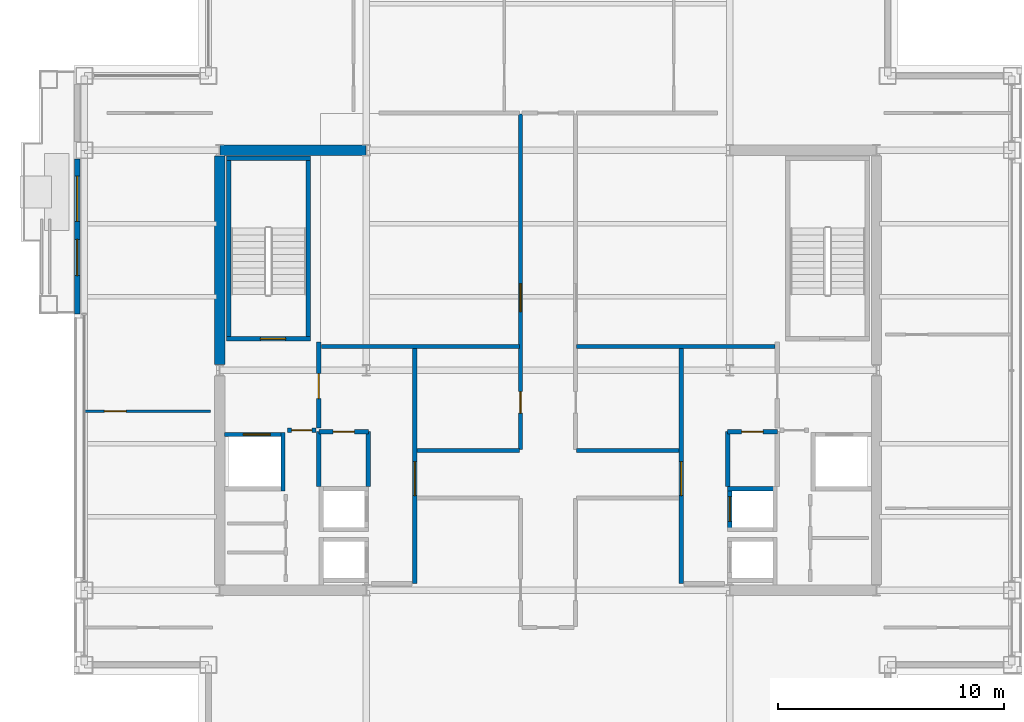
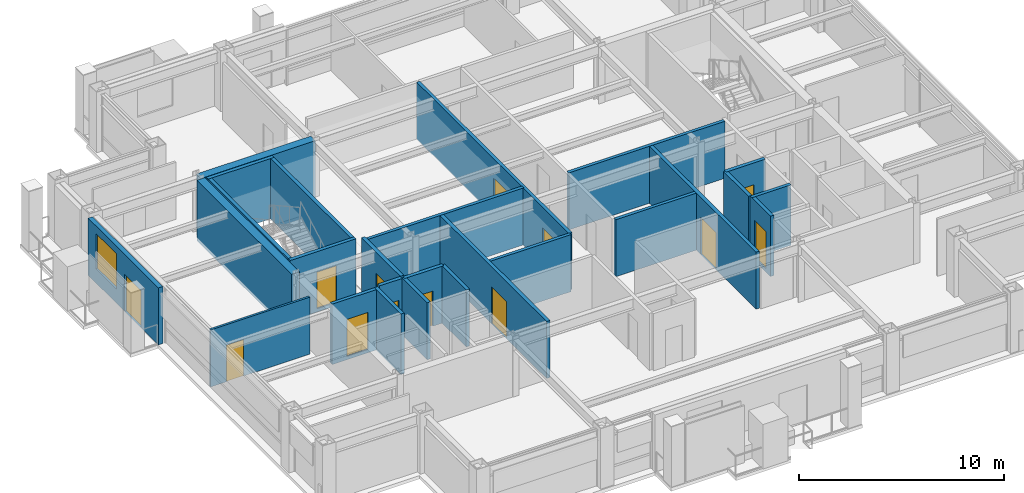
# One storey, part 25 of 30: 26 walls, 13 doors, 1 window, 14 openings.
"""IFC4 building model written with IfcOpenShell, lengths in metres."""

from ifc_helpers import new_model, si_unit, direction, frame, frame_2d, origin, place, context, subcontext, project, spatial, rectangle, extrude, material, layer, layer_set, type_object, element, fill, save


model = new_model("IFC4")

# Units and contexts
model_context = context("Model", 3, precision=1e-05, world=origin(), true_north=direction((0.0, 1.0)))
body_context = subcontext(model_context, "Body", "Model", "MODEL_VIEW")
ifc_project = project(units=[si_unit("LENGTHUNIT", "METRE"), si_unit("AREAUNIT", "SQUARE_METRE"), si_unit("VOLUMEUNIT", "CUBIC_METRE"), si_unit("PLANEANGLEUNIT", "RADIAN"), si_unit("MASSUNIT", "GRAM", prefix="KILO")], contexts=[model_context])

# Site, building, storey
site_placement = place(None, origin())
site = spatial("IfcSite", under=ifc_project, at=site_placement, CompositionType="ELEMENT")
building_placement = place(site_placement, origin())
building = spatial("IfcBuilding", under=site, at=building_placement, Name="Brelmoor Portico Tower", CompositionType="ELEMENT")
storey_placement = place(building_placement, frame((0.0, 0.0, 169.5)))
storey = spatial("IfcBuildingStorey", under=building, at=storey_placement, Name="L44", CompositionType="ELEMENT", Elevation=169.5)

# Walls
ifc_material_1 = material(Name="Concrete C50", Category="concrete")
ifc_layer_1 = layer(ifc_material_1, 0.449951171875)
ifc_layer_set_1 = layer_set([ifc_layer_1], Name="Concrete C50")
wall_type_1 = type_object("IfcWallType", Name="WL-CORE-450", PredefinedType="SHEAR", material=ifc_layer_set_1)
wall_1_placement = place(storey_placement, frame((-14.530029296875, 9.75, -0.199951171875), z_axis=(0.0, 0.0, 1.0), x_axis=(1.0, 0.0, 0.0)))
element("IfcWall", 1, at=wall_1_placement, inside=storey, type_object=wall_type_1, Name="L44 WC North Shear Wall", PredefinedType="SHEAR", context=body_context, shape_type="SweptSolid", body=[
    extrude(rectangle(XDim=6.4599609375, YDim=0.449951171875, at=frame_2d((3.22998046875, 0.0))), origin(), (0.0, 0.0, 1.0), 3.599853515625),
])
wall_2_placement = place(storey_placement, frame((-14.550048828125, 0.25, -0.199951171875), z_axis=(0.0, 0.0, 1.0), x_axis=(0.0, 1.0, 0.0)))
element("IfcWall", 2, at=wall_2_placement, inside=storey, type_object=wall_type_1, Name="L44 WC Outer North Shear Wall", PredefinedType="SHEAR", context=body_context, shape_type="SweptSolid", body=[
    extrude(rectangle(XDim=9.25, YDim=0.449951171875, at=frame_2d((4.625, 0.0))), origin(), (0.0, 0.0, 1.0), 3.599853515625),
])

# Wall, openings, door, window
ifc_material_2 = material(Name="Precast Concrete C40 Insulated Facade Wall", Category="concrete")
ifc_layer_2 = layer(ifc_material_2, 0.25)
ifc_layer_set_2 = layer_set([ifc_layer_2], Name="Precast Concrete C40 Insulated Facade Wall")
wall_type_2 = type_object("IfcWallType", Name="WL-EXT-250", PredefinedType="STANDARD", material=ifc_layer_set_2)
wall_3_placement = place(storey_placement, frame((-20.860107421875, 2.5, 0.0), z_axis=(0.0, 0.0, 1.0), x_axis=(0.0, 1.0, 0.0)))
wall_3 = element("IfcWall", 3, at=wall_3_placement, inside=storey, type_object=wall_type_2, Name="L44 Loggia Threshold Wall W-1", PredefinedType="STANDARD", context=body_context, shape_type="SweptSolid", body=[
    extrude(rectangle(XDim=6.85498046875, YDim=0.25, at=frame_2d((3.427490234375, 0.0))), origin(), (0.0, 0.0, 1.0), 3.39990234375),
])
opening_1_placement = place(wall_3_placement, frame((1.699951171875, 0.0, 0.0)))
opening_1 = element("IfcOpeningElement", 4, at=opening_1_placement, cuts=wall_3, Name="Opening D-TB1", PredefinedType="OPENING", context=body_context, shape_type="SweptSolid", body=[
    extrude(rectangle(XDim=1.60009765625, YDim=2.199951171875, at=frame_2d((0.800048828125, 1.10009765625))), frame((0.0, 0.135009765625, 0.0), z_axis=(0.0, -1.0, 0.0), x_axis=(1.0, 0.0, 0.0)), (0.0, 0.0, 1.0), 0.27001953125),
])
opening_2_placement = place(wall_3_placement, frame((4.10009765625, 0.0, 0.85009765625)))
opening_2 = element("IfcOpeningElement", 5, at=opening_2_placement, cuts=wall_3, Name="Opening W-03", PredefinedType="OPENING", context=body_context, shape_type="SweptSolid", body=[
    extrude(rectangle(XDim=2.0, YDim=2.10009765625, at=frame_2d((1.0, 1.050048828125))), frame((0.0, 0.135009765625, 0.0), z_axis=(0.0, -1.0, 0.0), x_axis=(1.0, 0.0, 0.0)), (0.0, 0.0, 1.0), 0.27001953125),
])
ifc_material_3 = material(Name="Double-Leaf Thermally Broken Terrace Door", Category="aluminium")
door_type_1 = type_object("IfcDoorType", Name="DR-BALCONY-1600", OperationType="NOTDEFINED", PredefinedType="DOOR", material=ifc_material_3)
door_1_placement = place(opening_1_placement, origin())
door_1 = element("IfcDoor", 6, at=door_1_placement, inside=storey, type_object=door_type_1, Name="D-1894 L44 Tree Balcony Double Door W", OperationType="DOUBLE_DOOR_SINGLE_SWING", OverallHeight=2.199951171875, OverallWidth=1.60009765625, PredefinedType="DOOR", context=body_context, shape_type="SweptSolid", body=[
    extrude(rectangle(XDim=1.60009765625, YDim=2.199951171875, at=frame_2d((0.800048828125, 1.10009765625))), frame((0.0, 0.02490234375, 0.0), z_axis=(0.0, -1.0, 0.0), x_axis=(1.0, 0.0, 0.0)), (0.0, 0.0, 1.0), 0.050048828125),
])
fill(opening_1, door_1)
ifc_material_4 = material(Name="Thermally Broken Aluminium Low-E Window", Category="aluminium")
window_type = type_object("IfcWindowType", Name="WN-LOGGIA-2000x2100", PartitioningType="SINGLE_PANEL", PredefinedType="WINDOW", material=ifc_material_4)
window_placement = place(opening_2_placement, origin())
window = element("IfcWindow", 7, at=window_placement, inside=storey, type_object=window_type, Name="L44 Loggia Window W", OverallHeight=2.10009765625, OverallWidth=2.0, PartitioningType="SINGLE_PANEL", PredefinedType="WINDOW", context=body_context, shape_type="SweptSolid", body=[
    extrude(rectangle(XDim=2.0, YDim=2.10009765625, at=frame_2d((1.0, 1.050048828125))), frame((0.0, 0.030029296875, 0.0), z_axis=(0.0, -1.0, 0.0), x_axis=(1.0, 0.0, 0.0)), (0.0, 0.0, 1.0), 0.06005859375),
])
fill(opening_2, window)

# Wall, opening, door
ifc_material_5 = material(Name="Lightweight Gypsum Office Partition", Category="gypsum")
ifc_layer_3 = layer(ifc_material_5, 0.1201171875)
ifc_layer_set_3 = layer_set([ifc_layer_3], Name="Lightweight Gypsum Office Partition")
wall_type_3 = type_object("IfcWallType", Name="WL-PART-120", PredefinedType="PARTITIONING", material=ifc_layer_set_3)
wall_4_placement = place(storey_placement, frame((-20.56005859375, -1.811279296875, 0.0), z_axis=(0.0, 0.0, 1.0), x_axis=(1.0, 0.0, 0.0)))
wall_4 = element("IfcWall", 8, at=wall_4_placement, inside=storey, type_object=wall_type_3, Name="L44 W Wing Partition 1", PredefinedType="PARTITIONING", context=body_context, shape_type="SweptSolid", body=[
    extrude(rectangle(XDim=5.60009765625, YDim=0.1201171875, at=frame_2d((2.800048828125, 0.0))), origin(), (0.0, 0.0, 1.0), 3.39990234375),
])
opening_3_placement = place(wall_4_placement, frame((0.89990234375, 0.0, 0.0)))
opening_3 = element("IfcOpeningElement", 9, at=opening_3_placement, cuts=wall_4, Name="Opening D-IN2", PredefinedType="OPENING", context=body_context, shape_type="SweptSolid", body=[
    extrude(rectangle(XDim=0.9599609375, YDim=2.179931640625, at=frame_2d((0.47998046875, 1.08984375))), frame((0.0, 0.070068359375, 0.0), z_axis=(0.0, -1.0, 0.0), x_axis=(1.0, 0.0, 0.0)), (0.0, 0.0, 1.0), 0.14013671875),
])
ifc_material_6 = material(Name="Lacquered Timber Suite Door", Category="wood")
door_type_2 = type_object("IfcDoorType", Name="DR-INT-950", OperationType="NOTDEFINED", PredefinedType="DOOR", material=ifc_material_6)
door_2_placement = place(opening_3_placement, origin())
door_2 = element("IfcDoor", 10, at=door_2_placement, inside=storey, type_object=door_type_2, Name="D-1897 L44 W Wing Suite Connecting Door 1", OperationType="SINGLE_SWING_RIGHT", OverallHeight=2.179931640625, OverallWidth=0.9599609375, PredefinedType="DOOR", context=body_context, shape_type="SweptSolid", body=[
    extrude(rectangle(XDim=0.9599609375, YDim=2.179931640625, at=frame_2d((0.47998046875, 1.08984375))), frame((0.0, 0.02490234375, 0.0), z_axis=(0.0, -1.0, 0.0), x_axis=(1.0, 0.0, 0.0)), (0.0, 0.0, 1.0), 0.050048828125),
])
fill(opening_3, door_2)

# Wall
ifc_material_7 = material(Name="Acoustic Corridor Fire Partition", Category="gypsum")
ifc_layer_4 = layer(ifc_material_7, 0.179931640625)
ifc_layer_set_4 = layer_set([ifc_layer_4], Name="Acoustic Corridor Fire Partition")
wall_type_4 = type_object("IfcWallType", Name="WL-PART-180", PredefinedType="PARTITIONING", material=ifc_layer_set_4)
wall_5_placement = place(storey_placement, frame((-10.050048828125, 1.050048828125, 0.0), z_axis=(0.0, 0.0, 1.0), x_axis=(1.0, 0.0, 0.0)))
element("IfcWall", 11, at=wall_5_placement, inside=storey, type_object=wall_type_4, Name="L44 West Reclaimed Suite South Wall", PredefinedType="PARTITIONING", context=body_context, shape_type="SweptSolid", body=[
    extrude(rectangle(XDim=8.7900390625, YDim=0.179931640625, at=frame_2d((4.39501953125, 0.0))), origin(), (0.0, 0.0, 1.0), 3.39990234375),
])

# Wall, openings, doors
wall_6_placement = place(storey_placement, frame((-1.219970703125, -3.5, 0.0), z_axis=(0.0, 0.0, 1.0), x_axis=(0.0, 1.0, 0.0)))
wall_6 = element("IfcWall", 12, at=wall_6_placement, inside=storey, type_object=wall_type_4, Name="L44 Central Cross West Wall", PredefinedType="PARTITIONING", context=body_context, shape_type="SweptSolid", body=[
    extrude(rectangle(XDim=14.860107421875, YDim=0.179931640625, at=frame_2d((7.43017578125, 0.0))), origin(), (0.0, 0.0, 1.0), 3.39990234375),
])
opening_4_placement = place(wall_6_placement, frame((6.10009765625, 0.0, 0.0)))
opening_4 = element("IfcOpeningElement", 13, at=opening_4_placement, cuts=wall_6, Name="Opening D-SU1", PredefinedType="OPENING", context=body_context, shape_type="SweptSolid", body=[
    extrude(rectangle(XDim=1.239990234375, YDim=2.239990234375, at=frame_2d((0.6201171875, 1.1201171875))), frame((0.0, 0.099853515625, 0.0), z_axis=(0.0, -1.0, 0.0), x_axis=(1.0, 0.0, 0.0)), (0.0, 0.0, 1.0), 0.199951171875),
])
opening_5_placement = place(wall_6_placement, frame((1.60009765625, 0.0, 0.0)))
opening_5 = element("IfcOpeningElement", 14, at=opening_5_placement, cuts=wall_6, Name="Opening D-IN2", PredefinedType="OPENING", context=body_context, shape_type="SweptSolid", body=[
    extrude(rectangle(XDim=0.9599609375, YDim=2.179931640625, at=frame_2d((0.47998046875, 1.08984375))), frame((0.0, 0.099853515625, 0.0), z_axis=(0.0, -1.0, 0.0), x_axis=(1.0, 0.0, 0.0)), (0.0, 0.0, 1.0), 0.199951171875),
])
door_3_placement = place(opening_5_placement, origin())
door_3 = element("IfcDoor", 15, at=door_3_placement, inside=storey, type_object=door_type_2, Name="D-1866 L44 Staff Pantry Door", OperationType="SINGLE_SWING_RIGHT", OverallHeight=2.179931640625, OverallWidth=0.9599609375, PredefinedType="DOOR", context=body_context, shape_type="SweptSolid", body=[
    extrude(rectangle(XDim=0.9599609375, YDim=2.179931640625, at=frame_2d((0.47998046875, 1.08984375))), frame((0.0, 0.02490234375, 0.0), z_axis=(0.0, -1.0, 0.0), x_axis=(1.0, 0.0, 0.0)), (0.0, 0.0, 1.0), 0.050048828125),
])
fill(opening_5, door_3)
ifc_material_8 = material(Name="Glazed Timber Executive Suite Door", Category="wood")
door_type_3 = type_object("IfcDoorType", Name="DR-SUITE-1200", OperationType="NOTDEFINED", PredefinedType="DOOR", material=ifc_material_8)
door_4_placement = place(opening_4_placement, origin())
door_4 = element("IfcDoor", 16, at=door_4_placement, inside=storey, type_object=door_type_3, Name="D-1867 L44 West Reclaimed Studio Door", OperationType="SINGLE_SWING_LEFT", OverallHeight=2.239990234375, OverallWidth=1.239990234375, PredefinedType="DOOR", context=body_context, shape_type="SweptSolid", body=[
    extrude(rectangle(XDim=1.239990234375, YDim=2.239990234375, at=frame_2d((0.6201171875, 1.1201171875))), frame((0.0, 0.02490234375, 0.0), z_axis=(0.0, -1.0, 0.0), x_axis=(1.0, 0.0, 0.0)), (0.0, 0.0, 1.0), 0.050048828125),
])
fill(opening_4, door_4)

# Walls
wall_7_placement = place(storey_placement, frame((-5.800048828125, -3.550048828125, 0.0), z_axis=(0.0, 0.0, 1.0), x_axis=(1.0, 0.0, 0.0)))
element("IfcWall", 17, at=wall_7_placement, inside=storey, type_object=wall_type_4, Name="L44 West Pantry South Wall", PredefinedType="PARTITIONING", context=body_context, shape_type="SweptSolid", body=[
    extrude(rectangle(XDim=4.5400390625, YDim=0.179931640625, at=frame_2d((2.27001953125, 0.0))), origin(), (0.0, 0.0, 1.0), 3.39990234375),
])
wall_8_placement = place(storey_placement, frame((1.260009765625, 1.050048828125, 0.0), z_axis=(0.0, 0.0, 1.0), x_axis=(1.0, 0.0, 0.0)))
element("IfcWall", 18, at=wall_8_placement, inside=storey, type_object=wall_type_4, Name="L44 East Suite South Wall", PredefinedType="PARTITIONING", context=body_context, shape_type="SweptSolid", body=[
    extrude(rectangle(XDim=8.800048828125, YDim=0.179931640625, at=frame_2d((4.39990234375, 0.0))), origin(), (0.0, 0.0, 1.0), 3.39990234375),
])
wall_9_placement = place(storey_placement, frame((1.260009765625, -3.550048828125, 0.0), z_axis=(0.0, 0.0, 1.0), x_axis=(1.0, 0.0, 0.0)))
element("IfcWall", 19, at=wall_9_placement, inside=storey, type_object=wall_type_4, Name="L44 East Office South Wall", PredefinedType="PARTITIONING", context=body_context, shape_type="SweptSolid", body=[
    extrude(rectangle(XDim=4.5400390625, YDim=0.179931640625, at=frame_2d((2.27001953125, 0.0))), origin(), (0.0, 0.0, 1.0), 3.39990234375),
])

# Wall, opening, door
ifc_material_9 = material(Name="Double-Stud Gypsum Fire Partition", Category="gypsum")
ifc_layer_5 = layer(ifc_material_9, 0.199951171875)
ifc_layer_set_5 = layer_set([ifc_layer_5], Name="Double-Stud Gypsum Fire Partition")
wall_type_5 = type_object("IfcWallType", Name="WL-PART-200", PredefinedType="PARTITIONING", material=ifc_layer_set_5)
wall_10_placement = place(storey_placement, frame((-5.89990234375, -9.449951171875, 0.0), z_axis=(0.0, 0.0, 1.0), x_axis=(0.0, 1.0, 0.0)))
wall_10 = element("IfcWall", 20, at=wall_10_placement, inside=storey, type_object=wall_type_5, Name="L44 W Core Lobby Compartment Wall", PredefinedType="PARTITIONING", context=body_context, shape_type="SweptSolid", body=[
    extrude(rectangle(XDim=10.5, YDim=0.199951171875, at=frame_2d((5.25, 0.0))), origin(), (0.0, 0.0, 1.0), 3.39990234375),
])
opening_6_placement = place(wall_10_placement, frame((3.89990234375, 0.0, 0.0)))
opening_6 = element("IfcOpeningElement", 21, at=opening_6_placement, cuts=wall_10, Name="Opening D-LB1", PredefinedType="OPENING", context=body_context, shape_type="SweptSolid", body=[
    extrude(rectangle(XDim=1.5, YDim=2.199951171875, at=frame_2d((0.75, 1.10009765625))), frame((0.0, 0.10986328125, 0.0), z_axis=(0.0, -1.0, 0.0), x_axis=(1.0, 0.0, 0.0)), (0.0, 0.0, 1.0), 0.219970703125),
])
ifc_material_10 = material(Name="Double-Leaf Glazed Steel Fire Door", Category="steel")
door_type_4 = type_object("IfcDoorType", Name="DR-LOBBY-1500", OperationType="NOTDEFINED", PredefinedType="DOOR", material=ifc_material_10)
door_5_placement = place(opening_6_placement, origin())
door_5 = element("IfcDoor", 22, at=door_5_placement, inside=storey, type_object=door_type_4, Name="D-1880 L44 W Lift Lobby Main Door", OperationType="DOUBLE_DOOR_SINGLE_SWING", OverallHeight=2.199951171875, OverallWidth=1.5, PredefinedType="DOOR", context=body_context, shape_type="SweptSolid", body=[
    extrude(rectangle(XDim=1.5, YDim=2.199951171875, at=frame_2d((0.75, 1.10009765625))), frame((0.0, 0.02490234375, 0.0), z_axis=(0.0, -1.0, 0.0), x_axis=(1.0, 0.0, 0.0)), (0.0, 0.0, 1.0), 0.050048828125),
])
fill(opening_6, door_5)

wall_11_placement = place(storey_placement, frame((-10.159912109375, -2.550048828125, 0.0), z_axis=(0.0, 0.0, 1.0), x_axis=(0.0, 1.0, 0.0)))
wall_11 = element("IfcWall", 23, at=wall_11_placement, inside=storey, type_object=wall_type_5, Name="L44 W Firefighting Lobby Wall", PredefinedType="PARTITIONING", context=body_context, shape_type="SweptSolid", body=[
    extrude(rectangle(XDim=3.800048828125, YDim=0.199951171875, at=frame_2d((1.89990234375, 0.0))), origin(), (0.0, 0.0, 1.0), 3.39990234375),
])
opening_7_placement = place(wall_11_placement, frame((1.300048828125, 0.0, 0.0)))
opening_7 = element("IfcOpeningElement", 24, at=opening_7_placement, cuts=wall_11, Name="Opening D-FR1", PredefinedType="OPENING", context=body_context, shape_type="SweptSolid", body=[
    extrude(rectangle(XDim=1.10009765625, YDim=2.14990234375, at=frame_2d((0.550048828125, 1.074951171875))), frame((0.0, 0.10986328125, 0.0), z_axis=(0.0, -1.0, 0.0), x_axis=(1.0, 0.0, 0.0)), (0.0, 0.0, 1.0), 0.219970703125),
])
ifc_material_11 = material(Name="Painted Galvanised Steel Fire Door", Category="steel")
door_type_5 = type_object("IfcDoorType", Name="DR-FIRE-1100", OperationType="NOTDEFINED", PredefinedType="DOOR", material=ifc_material_11)
door_6_placement = place(opening_7_placement, origin())
door_6 = element("IfcDoor", 25, at=door_6_placement, inside=storey, type_object=door_type_5, Name="D-1878 L44 W Firefighting Lobby Door", OperationType="SINGLE_SWING_RIGHT", OverallHeight=2.14990234375, OverallWidth=1.10009765625, PredefinedType="DOOR", context=body_context, shape_type="SweptSolid", body=[
    extrude(rectangle(XDim=1.10009765625, YDim=2.14990234375, at=frame_2d((0.550048828125, 1.074951171875))), frame((0.0, 0.02490234375, 0.0), z_axis=(0.0, -1.0, 0.0), x_axis=(1.0, 0.0, 0.0)), (0.0, 0.0, 1.0), 0.050048828125),
])
fill(opening_7, door_6)

wall_12_placement = place(storey_placement, frame((-10.280029296875, -2.64990234375, 0.0), z_axis=(0.0, 0.0, 1.0), x_axis=(-1.0, 0.0, 0.0)))
wall_12 = element("IfcWall", 26, at=wall_12_placement, inside=storey, type_object=wall_type_5, Name="L44 W Firefighting Lobby South Wall", PredefinedType="PARTITIONING", context=body_context, shape_type="SweptSolid", body=[
    extrude(rectangle(XDim=1.27001953125, YDim=0.199951171875, at=frame_2d((0.635009765625, 0.0))), origin(), (0.0, 0.0, 1.0), 3.39990234375),
])
opening_8_placement = place(wall_12_placement, frame((0.18505859375, 0.0, 0.0)))
opening_8 = element("IfcOpeningElement", 27, at=opening_8_placement, cuts=wall_12, Name="Opening D-IN1", PredefinedType="OPENING", context=body_context, shape_type="SweptSolid", body=[
    extrude(rectangle(XDim=0.89990234375, YDim=2.14990234375, at=frame_2d((0.449951171875, 1.074951171875))), frame((0.0, 0.10986328125, 0.0), z_axis=(0.0, -1.0, 0.0), x_axis=(1.0, 0.0, 0.0)), (0.0, 0.0, 1.0), 0.219970703125),
])
door_type_6 = type_object("IfcDoorType", Name="DR-INT-900", OperationType="NOTDEFINED", PredefinedType="DOOR", material=ifc_material_6)
door_7_placement = place(opening_8_placement, origin())
door_7 = element("IfcDoor", 28, at=door_7_placement, inside=storey, type_object=door_type_6, Name="D-1871 L44 W Core Service Vestibule Door", OperationType="SINGLE_SWING_LEFT", OverallHeight=2.14990234375, OverallWidth=0.89990234375, PredefinedType="DOOR", context=body_context, shape_type="SweptSolid", body=[
    extrude(rectangle(XDim=0.89990234375, YDim=2.14990234375, at=frame_2d((0.449951171875, 1.074951171875))), frame((0.0, 0.02490234375, 0.0), z_axis=(0.0, -1.0, 0.0), x_axis=(1.0, 0.0, 0.0)), (0.0, 0.0, 1.0), 0.050048828125),
])
fill(opening_8, door_7)

wall_13_placement = place(storey_placement, frame((-7.9599609375, -2.719970703125, 0.0), z_axis=(0.0, 0.0, 1.0), x_axis=(-1.0, 0.0, 0.0)))
wall_13 = element("IfcWall", 29, at=wall_13_placement, inside=storey, type_object=wall_type_5, Name="L44 W Electrical Switchgear Closet Wall", PredefinedType="PARTITIONING", context=body_context, shape_type="SweptSolid", body=[
    extrude(rectangle(XDim=2.199951171875, YDim=0.199951171875, at=frame_2d((1.10009765625, 0.0))), origin(), (0.0, 0.0, 1.0), 3.39990234375),
])
opening_9_placement = place(wall_13_placement, frame((0.6201171875, 0.0, 0.0)))
opening_9 = element("IfcOpeningElement", 30, at=opening_9_placement, cuts=wall_13, Name="Opening D-FR4", PredefinedType="OPENING", context=body_context, shape_type="SweptSolid", body=[
    extrude(rectangle(XDim=0.949951171875, YDim=2.10009765625, at=frame_2d((0.47509765625, 1.050048828125))), frame((0.0, 0.10986328125, 0.0), z_axis=(0.0, -1.0, 0.0), x_axis=(1.0, 0.0, 0.0)), (0.0, 0.0, 1.0), 0.219970703125),
])
ifc_material_12 = material(Name="Painted Galvanised Steel Riser Door", Category="steel")
door_type_7 = type_object("IfcDoorType", Name="DR-FIRE-950", OperationType="NOTDEFINED", PredefinedType="DOOR", material=ifc_material_12)
door_8_placement = place(opening_9_placement, origin())
door_8 = element("IfcDoor", 31, at=door_8_placement, inside=storey, type_object=door_type_7, Name="D-1876 L44 W Electrical Switchgear Closet Door", OperationType="SINGLE_SWING_RIGHT", OverallHeight=2.10009765625, OverallWidth=0.949951171875, PredefinedType="DOOR", context=body_context, shape_type="SweptSolid", body=[
    extrude(rectangle(XDim=0.949951171875, YDim=2.10009765625, at=frame_2d((0.47509765625, 1.050048828125))), frame((0.0, 0.02490234375, 0.0), z_axis=(0.0, -1.0, 0.0), x_axis=(1.0, 0.0, 0.0)), (0.0, 0.0, 1.0), 0.050048828125),
])
fill(opening_9, door_8)

# Walls
for number, where, z_axis, x_axis, name in (
    (32, (-7.9599609375, -5.159912109375, 0.0), (0.0, 0.0, 1.0), (0.0, 1.0, 0.0), "L44 W Electrical Switchgear Closet Inner Wall"),
    (33, (-10.159912109375, -5.159912109375, 0.0), (0.0, 0.0, 1.0), (0.0, 1.0, 0.0), "L44 W Electrical Switchgear Closet Outer Wall"),
):
    element("IfcWall", number, at=place(storey_placement, frame(where, z_axis=z_axis, x_axis=x_axis)), inside=storey, type_object=wall_type_5, Name=name, PredefinedType="PARTITIONING", context=body_context, shape_type="SweptSolid", body=[
        extrude(rectangle(XDim=2.43994140625, YDim=0.199951171875, at=frame_2d((1.219970703125, 0.0))), origin(), (0.0, 0.0, 1.0), 3.39990234375),
    ])

# Wall, opening, door
wall_14_placement = place(storey_placement, frame((5.89990234375, -9.449951171875, 0.0), z_axis=(0.0, 0.0, 1.0), x_axis=(0.0, 1.0, 0.0)))
wall_14 = element("IfcWall", 34, at=wall_14_placement, inside=storey, type_object=wall_type_5, Name="L44 E Core Lobby Compartment Wall", PredefinedType="PARTITIONING", context=body_context, shape_type="SweptSolid", body=[
    extrude(rectangle(XDim=10.5, YDim=0.199951171875, at=frame_2d((5.25, 0.0))), origin(), (0.0, 0.0, 1.0), 3.39990234375),
])
opening_10_placement = place(wall_14_placement, frame((3.89990234375, 0.0, 0.0)))
opening_10 = element("IfcOpeningElement", 35, at=opening_10_placement, cuts=wall_14, Name="Opening D-LB1", PredefinedType="OPENING", context=body_context, shape_type="SweptSolid", body=[
    extrude(rectangle(XDim=1.5, YDim=2.199951171875, at=frame_2d((0.75, 1.10009765625))), frame((0.0, 0.10986328125, 0.0), z_axis=(0.0, -1.0, 0.0), x_axis=(1.0, 0.0, 0.0)), (0.0, 0.0, 1.0), 0.219970703125),
])
door_9_placement = place(opening_10_placement, origin())
door_9 = element("IfcDoor", 36, at=door_9_placement, inside=storey, type_object=door_type_4, Name="D-1879 L44 E Lift Lobby Main Door", OperationType="DOUBLE_DOOR_SINGLE_SWING", OverallHeight=2.199951171875, OverallWidth=1.5, PredefinedType="DOOR", context=body_context, shape_type="SweptSolid", body=[
    extrude(rectangle(XDim=1.5, YDim=2.199951171875, at=frame_2d((0.75, 1.10009765625))), frame((0.0, 0.02490234375, 0.0), z_axis=(0.0, -1.0, 0.0), x_axis=(1.0, 0.0, 0.0)), (0.0, 0.0, 1.0), 0.050048828125),
])
fill(opening_10, door_9)

wall_15_placement = place(storey_placement, frame((7.9599609375, -2.719970703125, 0.0), z_axis=(0.0, 0.0, 1.0), x_axis=(1.0, 0.0, 0.0)))
wall_15 = element("IfcWall", 37, at=wall_15_placement, inside=storey, type_object=wall_type_5, Name="L44 E Electrical Switchgear Closet Wall", PredefinedType="PARTITIONING", context=body_context, shape_type="SweptSolid", body=[
    extrude(rectangle(XDim=2.199951171875, YDim=0.199951171875, at=frame_2d((1.10009765625, 0.0))), origin(), (0.0, 0.0, 1.0), 3.39990234375),
])
opening_11_placement = place(wall_15_placement, frame((0.6201171875, 0.0, 0.0)))
opening_11 = element("IfcOpeningElement", 38, at=opening_11_placement, cuts=wall_15, Name="Opening D-FR4", PredefinedType="OPENING", context=body_context, shape_type="SweptSolid", body=[
    extrude(rectangle(XDim=0.949951171875, YDim=2.10009765625, at=frame_2d((0.47509765625, 1.050048828125))), frame((0.0, 0.10986328125, 0.0), z_axis=(0.0, -1.0, 0.0), x_axis=(1.0, 0.0, 0.0)), (0.0, 0.0, 1.0), 0.219970703125),
])
door_10_placement = place(opening_11_placement, origin())
door_10 = element("IfcDoor", 39, at=door_10_placement, inside=storey, type_object=door_type_7, Name="D-1875 L44 E Electrical Switchgear Closet Door", OperationType="SINGLE_SWING_RIGHT", OverallHeight=2.10009765625, OverallWidth=0.949951171875, PredefinedType="DOOR", context=body_context, shape_type="SweptSolid", body=[
    extrude(rectangle(XDim=0.949951171875, YDim=2.10009765625, at=frame_2d((0.47509765625, 1.050048828125))), frame((0.0, 0.02490234375, 0.0), z_axis=(0.0, -1.0, 0.0), x_axis=(1.0, 0.0, 0.0)), (0.0, 0.0, 1.0), 0.050048828125),
])
fill(opening_11, door_10)

# Wall
wall_16_placement = place(storey_placement, frame((7.9599609375, -5.159912109375, 0.0), z_axis=(0.0, 0.0, 1.0), x_axis=(0.0, 1.0, 0.0)))
element("IfcWall", 40, at=wall_16_placement, inside=storey, type_object=wall_type_5, Name="L44 E Electrical Switchgear Closet Inner Wall", PredefinedType="PARTITIONING", context=body_context, shape_type="SweptSolid", body=[
    extrude(rectangle(XDim=2.43994140625, YDim=0.199951171875, at=frame_2d((1.219970703125, 0.0))), origin(), (0.0, 0.0, 1.0), 3.39990234375),
])

# Wall, opening, door
ifc_material_13 = material(Name="Precast Concrete C40", Category="concrete")
ifc_layer_6 = layer(ifc_material_13, 0.18994140625)
ifc_layer_set_6 = layer_set([ifc_layer_6], Name="Precast Concrete C40")
wall_type_6 = type_object("IfcWallType", Name="WL-SHAFT-180", PredefinedType="SOLIDWALL", material=ifc_layer_set_6)
wall_17_placement = place(storey_placement, frame((8.044921875, -7.14990234375, -0.199951171875), z_axis=(0.0, 0.0, 1.0), x_axis=(0.0, 1.0, 0.0)))
wall_17 = element("IfcWall", 41, at=wall_17_placement, inside=storey, type_object=wall_type_6, Name="L44 Lift PH4 Hoistway Front Wall", PredefinedType="SOLIDWALL", context=body_context, shape_type="SweptSolid", body=[
    extrude(rectangle(XDim=2.0, YDim=0.18994140625, at=frame_2d((1.0, 0.0))), origin(), (0.0, 0.0, 1.0), 3.599853515625),
])
opening_12_placement = place(wall_17_placement, frame((0.449951171875, 0.0, 0.199951171875)))
opening_12 = element("IfcOpeningElement", 42, at=opening_12_placement, cuts=wall_17, Name="Opening LD-01", PredefinedType="OPENING", context=body_context, shape_type="SweptSolid", body=[
    extrude(rectangle(XDim=1.10009765625, YDim=2.199951171875, at=frame_2d((0.550048828125, 1.10009765625))), frame((0.0, 0.10498046875, 0.0), z_axis=(0.0, -1.0, 0.0), x_axis=(1.0, 0.0, 0.0)), (0.0, 0.0, 1.0), 0.2099609375),
])
ifc_material_14 = material(Name="Brushed Stainless Steel Sliding Lift Door", Category="steel")
door_type_8 = type_object("IfcDoorType", Name="DR-LIFT-1100", OperationType="NOTDEFINED", PredefinedType="DOOR", material=ifc_material_14)
door_11_placement = place(opening_12_placement, origin())
door_11 = element("IfcDoor", 43, at=door_11_placement, inside=storey, type_object=door_type_8, Name="D-1903 L44 Lift PH4 Sliding Landing Door", OperationType="SLIDING_TO_LEFT", OverallHeight=2.199951171875, OverallWidth=1.10009765625, PredefinedType="DOOR", context=body_context, shape_type="SweptSolid", body=[
    extrude(rectangle(XDim=1.10009765625, YDim=2.199951171875, at=frame_2d((0.550048828125, 1.10009765625))), frame((0.0, 0.02490234375, 0.0), z_axis=(0.0, -1.0, 0.0), x_axis=(1.0, 0.0, 0.0)), (0.0, 0.0, 1.0), 0.050048828125),
])
fill(opening_12, door_11)

# Wall
wall_18_placement = place(storey_placement, frame((7.949951171875, -5.2451171875, -0.199951171875), z_axis=(0.0, 0.0, 1.0), x_axis=(1.0, 0.0, 0.0)))
element("IfcWall", 44, at=wall_18_placement, inside=storey, type_object=wall_type_6, Name="L44 Lift PH4 Hoistway North Wall", PredefinedType="SOLIDWALL", context=body_context, shape_type="SweptSolid", body=[
    extrude(rectangle(XDim=2.199951171875, YDim=0.18994140625, at=frame_2d((1.10009765625, 0.0))), origin(), (0.0, 0.0, 1.0), 3.599853515625),
])

# Wall, opening, door
wall_19_placement = place(storey_placement, frame((-14.330078125, -2.844970703125, -0.199951171875), z_axis=(0.0, 0.0, 1.0), x_axis=(1.0, 0.0, 0.0)))
wall_19 = element("IfcWall", 45, at=wall_19_placement, inside=storey, type_object=wall_type_6, Name="L44 Lift FF1 Hoistway Front Wall", PredefinedType="SOLIDWALL", context=body_context, shape_type="SweptSolid", body=[
    extrude(rectangle(XDim=2.68017578125, YDim=0.18994140625, at=frame_2d((1.340087890625, 0.0))), origin(), (0.0, 0.0, 1.0), 3.599853515625),
])
opening_13_placement = place(wall_19_placement, frame((0.830078125, 0.0, 0.199951171875)))
opening_13 = element("IfcOpeningElement", 46, at=opening_13_placement, cuts=wall_19, Name="Opening LD-02", PredefinedType="OPENING", context=body_context, shape_type="SweptSolid", body=[
    extrude(rectangle(XDim=1.199951171875, YDim=2.199951171875, at=frame_2d((0.60009765625, 1.10009765625))), frame((0.0, 0.10498046875, 0.0), z_axis=(0.0, -1.0, 0.0), x_axis=(1.0, 0.0, 0.0)), (0.0, 0.0, 1.0), 0.2099609375),
])
ifc_material_15 = material(Name="Brushed Stainless Steel Firefighting Lift Door", Category="steel")
door_type_9 = type_object("IfcDoorType", Name="DR-LIFT-1200", OperationType="NOTDEFINED", PredefinedType="DOOR", material=ifc_material_15)
door_12_placement = place(opening_13_placement, origin())
door_12 = element("IfcDoor", 47, at=door_12_placement, inside=storey, type_object=door_type_9, Name="D-1898 L44 Lift FF1 Sliding Landing Door", OperationType="SLIDING_TO_LEFT", OverallHeight=2.199951171875, OverallWidth=1.199951171875, PredefinedType="DOOR", context=body_context, shape_type="SweptSolid", body=[
    extrude(rectangle(XDim=1.199951171875, YDim=2.199951171875, at=frame_2d((0.60009765625, 1.10009765625))), frame((0.0, 0.02490234375, 0.0), z_axis=(0.0, -1.0, 0.0), x_axis=(1.0, 0.0, 0.0)), (0.0, 0.0, 1.0), 0.050048828125),
])
fill(opening_13, door_12)

# Walls
wall_20_placement = place(storey_placement, frame((-11.7451171875, -5.35009765625, -0.199951171875), z_axis=(0.0, 0.0, 1.0), x_axis=(0.0, 1.0, 0.0)))
element("IfcWall", 48, at=wall_20_placement, inside=storey, type_object=wall_type_6, Name="L44 Firefighting Lift FF1 Inner Wall", PredefinedType="SOLIDWALL", context=body_context, shape_type="SweptSolid", body=[
    extrude(rectangle(XDim=2.60009765625, YDim=0.18994140625, at=frame_2d((1.300048828125, 0.0))), origin(), (0.0, 0.0, 1.0), 3.599853515625),
])
ifc_material_16 = material(Name="Concrete C40", Category="concrete")
ifc_layer_7 = layer(ifc_material_16, 0.199951171875)
ifc_layer_set_7 = layer_set([ifc_layer_7], Name="Concrete C40")
wall_type_7 = type_object("IfcWallType", Name="WL-SHAFT-RC200", PredefinedType="SOLIDWALL", material=ifc_layer_set_7)
wall_21_placement = place(storey_placement, frame((-14.14990234375, 1.5, -0.199951171875), z_axis=(0.0, 0.0, 1.0), x_axis=(0.0, 1.0, 0.0)))
element("IfcWall", 49, at=wall_21_placement, inside=storey, type_object=wall_type_7, Name="L44 ST-W Structural Stair Wall Outer", PredefinedType="SOLIDWALL", context=body_context, shape_type="SweptSolid", body=[
    extrude(rectangle(XDim=7.800048828125, YDim=0.199951171875, at=frame_2d((3.89990234375, 0.0))), origin(), (0.0, 0.0, 1.0), 3.599853515625),
])

# Wall, opening, door
wall_22_placement = place(storey_placement, frame((-14.25, 1.39990234375, -0.199951171875), z_axis=(0.0, 0.0, 1.0), x_axis=(1.0, 0.0, 0.0)))
wall_22 = element("IfcWall", 50, at=wall_22_placement, inside=storey, type_object=wall_type_7, Name="L44 ST-W Structural Stair Wall S", PredefinedType="SOLIDWALL", context=body_context, shape_type="SweptSolid", body=[
    extrude(rectangle(XDim=3.719970703125, YDim=0.199951171875, at=frame_2d((1.85986328125, 0.0))), origin(), (0.0, 0.0, 1.0), 3.599853515625),
])
opening_14_placement = place(wall_22_placement, frame((1.5, 0.0, 0.199951171875)))
opening_14 = element("IfcOpeningElement", 51, at=opening_14_placement, cuts=wall_22, Name="Opening D-ST1", PredefinedType="OPENING", context=body_context, shape_type="SweptSolid", body=[
    extrude(rectangle(XDim=1.1201171875, YDim=2.179931640625, at=frame_2d((0.56005859375, 1.08984375))), frame((0.0, 0.10986328125, 0.0), z_axis=(0.0, -1.0, 0.0), x_axis=(1.0, 0.0, 0.0)), (0.0, 0.0, 1.0), 0.219970703125),
])
door_type_10 = type_object("IfcDoorType", Name="DR-STAIR-1100", OperationType="NOTDEFINED", PredefinedType="DOOR", material=ifc_material_11)
door_13_placement = place(opening_14_placement, origin())
door_13 = element("IfcDoor", 52, at=door_13_placement, inside=storey, type_object=door_type_10, Name="D-1889 L44 ST-W Protected Exit Stair Door", OperationType="SINGLE_SWING_LEFT", OverallHeight=2.179931640625, OverallWidth=1.1201171875, PredefinedType="DOOR", context=body_context, shape_type="SweptSolid", body=[
    extrude(rectangle(XDim=1.1201171875, YDim=2.179931640625, at=frame_2d((0.56005859375, 1.08984375))), frame((0.0, 0.02490234375, 0.0), z_axis=(0.0, -1.0, 0.0), x_axis=(1.0, 0.0, 0.0)), (0.0, 0.0, 1.0), 0.050048828125),
])
fill(opening_14, door_13)

# Walls
wall_23_placement = place(storey_placement, frame((-14.25, 9.39990234375, -0.199951171875), z_axis=(0.0, 0.0, 1.0), x_axis=(1.0, 0.0, 0.0)))
element("IfcWall", 53, at=wall_23_placement, inside=storey, type_object=wall_type_7, Name="L44 ST-W Structural Stair Wall N", PredefinedType="SOLIDWALL", context=body_context, shape_type="SweptSolid", body=[
    extrude(rectangle(XDim=3.719970703125, YDim=0.199951171875, at=frame_2d((1.85986328125, 0.0))), origin(), (0.0, 0.0, 1.0), 3.599853515625),
])
wall_24_placement = place(storey_placement, frame((-10.6298828125, 1.5, -0.199951171875), z_axis=(0.0, 0.0, 1.0), x_axis=(0.0, 1.0, 0.0)))
element("IfcWall", 54, at=wall_24_placement, inside=storey, type_object=wall_type_7, Name="L44 ST-W Structural Stair Wall Inner", PredefinedType="SOLIDWALL", context=body_context, shape_type="SweptSolid", body=[
    extrude(rectangle(XDim=7.800048828125, YDim=0.199951171875, at=frame_2d((3.89990234375, 0.0))), origin(), (0.0, 0.0, 1.0), 3.599853515625),
])

save(model, "model.ifc")
